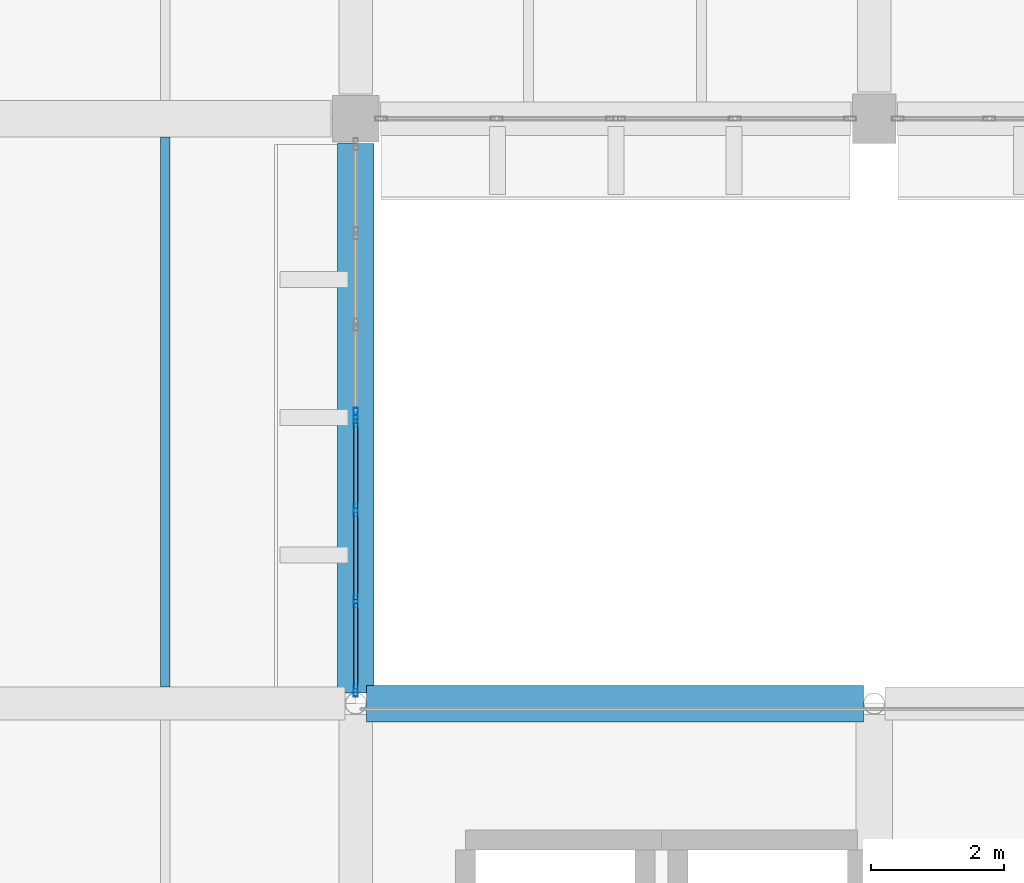
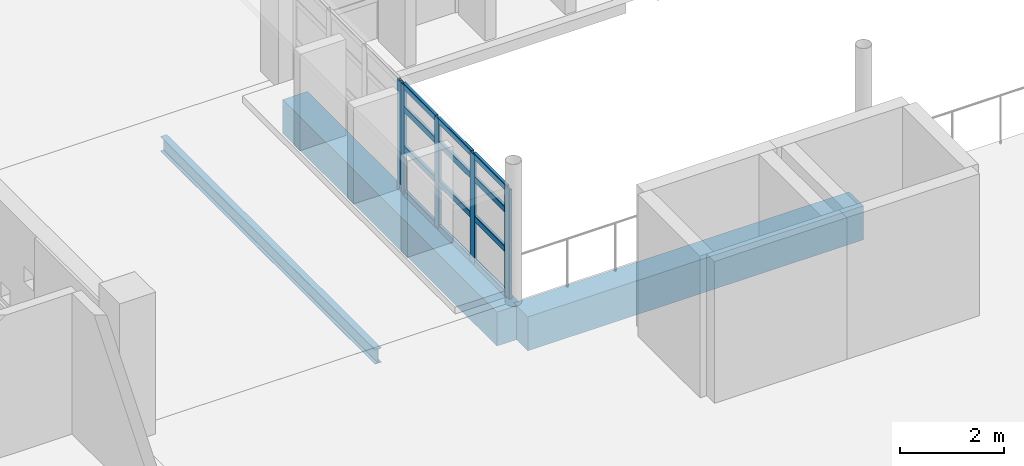
# One storey, part 9 of 75: 17 members, 3 beams, 2 elements without a shape of their own.
"""IFC4 building model written with IfcOpenShell, lengths in metres."""

from ifc_helpers import new_model, si_unit, direction, frame, origin, origin_2d, place, context, subcontext, project, spatial, rectangle, hollow_rectangle, i_section, extrude, material, material_profile, profile_set, type_object, element, aggregate, save


model = new_model("IFC4")

# Units and contexts
model_context = context("Model", 3, precision=1e-05, world=origin(), true_north=direction((0.0, 1.0)))
body_context = subcontext(model_context, "Body", "Model", "MODEL_VIEW")
ifc_project = project(units=[si_unit("LENGTHUNIT", "METRE"), si_unit("AREAUNIT", "SQUARE_METRE"), si_unit("VOLUMEUNIT", "CUBIC_METRE"), si_unit("PLANEANGLEUNIT", "RADIAN"), si_unit("MASSUNIT", "GRAM", prefix="KILO")], contexts=[model_context])

# Site, building, storey
site_placement = place(None, origin())
site = spatial("IfcSite", under=ifc_project, at=site_placement, CompositionType="ELEMENT")
building_placement = place(site_placement, origin())
building = spatial("IfcBuilding", under=site, at=building_placement, Name="Varnakota Cinema and Media Centre", CompositionType="ELEMENT")
storey_placement = place(building_placement, frame((0.0, 0.0, 8.39990234375)))
storey = spatial("IfcBuildingStorey", under=building, at=storey_placement, Name="L02", CompositionType="ELEMENT", Elevation=8.39990234375)

# Beams
ifc_material_1 = material(Name="Concrete M35", Category="concrete")
ifc_material_profile_1 = material_profile(ifc_material_1, rectangle(XDim=0.550048828125, YDim=0.800048828125, at=origin_2d()), Name="RCB 550x800")
ifc_profile_set_1 = profile_set([ifc_material_profile_1], Name="Concrete M35")
beam_type_1 = type_object("IfcBeamType", Name="BM-RC-550x800", PredefinedType="BEAM", material=ifc_profile_set_1)
beam_1_placement = place(storey_placement, frame((51.761962890625, 26.39990234375, -0.64990234375), z_axis=(1.0, 0.0, 0.0), x_axis=(0.0, 1.0, 0.0)))
element("IfcBeam", 1, at=beam_1_placement, inside=storey, type_object=beam_type_1, Name="L02 girder G-H/4", PredefinedType="BEAM", context=body_context, shape_type="SweptSolid", body=[
    extrude(rectangle(XDim=0.550048828125, YDim=0.800048828125, at=origin_2d()), origin(), (0.0, 0.0, 1.0), 7.47607421875),
])
beam_2_placement = place(storey_placement, frame((51.60009765625, 26.56201171875, -0.64990234375), z_axis=(0.0, 1.0, 0.0), x_axis=(-1.0, 0.0, 0.0)))
element("IfcBeam", 2, at=beam_2_placement, inside=storey, type_object=beam_type_1, Name="L02 girder G/4-5", PredefinedType="BEAM", context=body_context, shape_type="SweptSolid", body=[
    extrude(rectangle(XDim=0.550048828125, YDim=0.800048828125, at=origin_2d()), origin(), (0.0, 0.0, 1.0), 8.262939453125),
])
ifc_material_2 = material(Name="Structural steel Grade 350 (E350)", Category="steel")
ifc_material_profile_2 = material_profile(ifc_material_2, i_section(OverallWidth=0.139892578125, OverallDepth=0.35009765625, WebThickness=0.008056640625, FlangeThickness=0.01416015625, FilletRadius=0.013916015625, at=origin_2d()), Name="ISMB 350")
ifc_profile_set_2 = profile_set([ifc_material_profile_2], Name="Structural steel Grade 350 (E350)")
beam_type_2 = type_object("IfcBeamType", Name="BM-ST-ISMB350", PredefinedType="JOIST", material=ifc_profile_set_2)
beam_3_placement = place(storey_placement, frame((48.7333984375, 26.64990234375, -0.4248046875), z_axis=(0.0, 1.0, 0.0), x_axis=(-1.0, 0.0, 0.0)))
element("IfcBeam", 3, at=beam_3_placement, inside=storey, type_object=beam_type_2, Name="L02 steel joist F-G/4-5 #2", PredefinedType="JOIST", context=body_context, shape_type="SweptSolid", body=[
    extrude(i_section(OverallWidth=0.139892578125, OverallDepth=0.35009765625, WebThickness=0.008056640625, FlangeThickness=0.01416015625, FilletRadius=0.013916015625, at=origin_2d()), origin(), (0.0, 0.0, 1.0), 8.275146484375),
])

# Curtain wall, members
ifc_material_3 = material(Name="Thermally broken anodised aluminium AW-6063", Category="aluminium")
curtain_wall_type = type_object("IfcCurtainWallType", Name="CW-STD-412x258", PredefinedType="USERDEFINED", material=ifc_material_3)
curtain_wall_1_placement = place(storey_placement, origin())
curtain_wall_1 = element("IfcCurtainWall", 4, at=curtain_wall_1_placement, inside=storey, type_object=curtain_wall_type, Name="L02 curtain wall CW-L02-WLINK-E-01-1", ObjectType="UNITISED CURTAIN WALL", PredefinedType="USERDEFINED")
ifc_material_4 = material(Name="Thermally broken anodised aluminium AW-6063", Category="aluminium")
ifc_material_profile_3 = material_profile(ifc_material_4, hollow_rectangle(XDim=0.06494140625, YDim=0.179931640625, WallThickness=0.00390625, InnerFilletRadius=0.00390625, OuterFilletRadius=0.008056640625, at=origin_2d()), Name="AL-MULLION 180x65x4")
ifc_profile_set_3 = profile_set([ifc_material_profile_3], Name="Thermally broken anodised aluminium AW-6063")
member_type_1 = type_object("IfcMemberType", Name="CWM-AL-180", PredefinedType="MULLION", material=ifc_profile_set_3)
member_1_placement = place(storey_placement, frame((51.60009765625, 26.594482421875, 0.0), z_axis=(0.0, 0.0, 1.0), x_axis=(-1.0, 0.0, 0.0)))
member_1 = element("IfcMember", 5, at=member_1_placement, type_object=member_type_1, Name="CW35 mullion 1", PredefinedType="MULLION", context=body_context, shape_type="SweptSolid", body=[
    extrude(hollow_rectangle(XDim=0.06494140625, YDim=0.179931640625, WallThickness=0.00390625, InnerFilletRadius=0.00390625, OuterFilletRadius=0.008056640625, at=origin_2d()), origin(), (0.0, 0.0, 1.0), 2.5751953125),
])
member_2_placement = place(storey_placement, frame((51.60009765625, 27.936767578125, 0.0), z_axis=(0.0, 0.0, 1.0), x_axis=(-1.0, 0.0, 0.0)))
member_2 = element("IfcMember", 6, at=member_2_placement, type_object=member_type_1, Name="CW35 mullion 2", PredefinedType="MULLION", context=body_context, shape_type="SweptSolid", body=[
    extrude(hollow_rectangle(XDim=0.06494140625, YDim=0.179931640625, WallThickness=0.00390625, InnerFilletRadius=0.00390625, OuterFilletRadius=0.008056640625, at=origin_2d()), origin(), (0.0, 0.0, 1.0), 2.5751953125),
])
member_3_placement = place(storey_placement, frame((51.60009765625, 29.311279296875, 0.0), z_axis=(0.0, 0.0, 1.0), x_axis=(-1.0, 0.0, 0.0)))
member_3 = element("IfcMember", 7, at=member_3_placement, type_object=member_type_1, Name="CW35 mullion 3", PredefinedType="MULLION", context=body_context, shape_type="SweptSolid", body=[
    extrude(hollow_rectangle(XDim=0.06494140625, YDim=0.179931640625, WallThickness=0.00390625, InnerFilletRadius=0.00390625, OuterFilletRadius=0.008056640625, at=origin_2d()), origin(), (0.0, 0.0, 1.0), 2.5751953125),
])
member_4_placement = place(storey_placement, frame((51.60009765625, 30.653564453125, 0.0), z_axis=(0.0, 0.0, 1.0), x_axis=(-1.0, 0.0, 0.0)))
member_4 = element("IfcMember", 8, at=member_4_placement, type_object=member_type_1, Name="CW35 mullion 4", PredefinedType="MULLION", context=body_context, shape_type="SweptSolid", body=[
    extrude(hollow_rectangle(XDim=0.06494140625, YDim=0.179931640625, WallThickness=0.00390625, InnerFilletRadius=0.00390625, OuterFilletRadius=0.008056640625, at=origin_2d()), origin(), (0.0, 0.0, 1.0), 2.5751953125),
])

# Curtain wall, member
curtain_wall_2_placement = place(storey_placement, origin())
curtain_wall_2 = element("IfcCurtainWall", 9, at=curtain_wall_2_placement, inside=storey, type_object=curtain_wall_type, Name="L02 curtain wall CW-L02-WLINK-E-01-2", ObjectType="UNITISED CURTAIN WALL", PredefinedType="USERDEFINED")
member_5_placement = place(storey_placement, frame((51.60009765625, 30.758544921875, 0.0), z_axis=(0.0, 0.0, 1.0), x_axis=(-1.0, 0.0, 0.0)))
member_5 = element("IfcMember", 10, at=member_5_placement, type_object=member_type_1, Name="CW35 mullion 1", PredefinedType="MULLION", context=body_context, shape_type="SweptSolid", body=[
    extrude(hollow_rectangle(XDim=0.06494140625, YDim=0.179931640625, WallThickness=0.00390625, InnerFilletRadius=0.00390625, OuterFilletRadius=0.008056640625, at=origin_2d()), origin(), (0.0, 0.0, 1.0), 2.5751953125),
])
aggregate(curtain_wall_2, [member_5])

# Member
ifc_material_5 = material(Name="Thermally broken anodised aluminium AW-6063", Category="aluminium")
ifc_material_profile_4 = material_profile(ifc_material_5, hollow_rectangle(XDim=0.06494140625, YDim=0.139892578125, WallThickness=0.00390625, InnerFilletRadius=0.00390625, OuterFilletRadius=0.008056640625, at=origin_2d()), Name="AL-TRANSOM 140x65x4")
ifc_profile_set_4 = profile_set([ifc_material_profile_4], Name="Thermally broken anodised aluminium AW-6063")
member_type_2 = type_object("IfcMemberType", Name="CWT-AL-140", PredefinedType="USERDEFINED", material=ifc_profile_set_4)
member_6_placement = place(storey_placement, frame((51.60009765625, 26.626953125, 0.03271484375), z_axis=(0.0, 1.0, 0.0), x_axis=(-1.0, 0.0, 0.0)))
member_6 = element("IfcMember", 11, at=member_6_placement, type_object=member_type_2, Name="CW35 transom 1.1", ObjectType="TRANSOM", PredefinedType="USERDEFINED", context=body_context, shape_type="SweptSolid", body=[
    extrude(hollow_rectangle(XDim=0.06494140625, YDim=0.139892578125, WallThickness=0.00390625, InnerFilletRadius=0.00390625, OuterFilletRadius=0.008056640625, at=origin_2d()), origin(), (0.0, 0.0, 1.0), 1.277099609375),
])

member_7_placement = place(storey_placement, frame((51.60009765625, 26.626953125, 1.08154296875), z_axis=(0.0, 1.0, 0.0), x_axis=(-1.0, 0.0, 0.0)))
member_7 = element("IfcMember", 12, at=member_7_placement, type_object=member_type_2, Name="CW35 transom 1.2", ObjectType="TRANSOM", PredefinedType="USERDEFINED", context=body_context, shape_type="SweptSolid", body=[
    extrude(hollow_rectangle(XDim=0.06494140625, YDim=0.139892578125, WallThickness=0.00390625, InnerFilletRadius=0.00390625, OuterFilletRadius=0.008056640625, at=origin_2d()), origin(), (0.0, 0.0, 1.0), 1.277099609375),
])

member_8_placement = place(storey_placement, frame((51.60009765625, 26.626953125, 2.008544921875), z_axis=(0.0, 1.0, 0.0), x_axis=(-1.0, 0.0, 0.0)))
member_8 = element("IfcMember", 13, at=member_8_placement, type_object=member_type_2, Name="CW35 transom 1.3", ObjectType="TRANSOM", PredefinedType="USERDEFINED", context=body_context, shape_type="SweptSolid", body=[
    extrude(hollow_rectangle(XDim=0.06494140625, YDim=0.139892578125, WallThickness=0.00390625, InnerFilletRadius=0.00390625, OuterFilletRadius=0.008056640625, at=origin_2d()), origin(), (0.0, 0.0, 1.0), 1.277099609375),
])

member_9_placement = place(storey_placement, frame((51.60009765625, 26.626953125, 2.54248046875), z_axis=(0.0, 1.0, 0.0), x_axis=(-1.0, 0.0, 0.0)))
member_9 = element("IfcMember", 14, at=member_9_placement, type_object=member_type_2, Name="CW35 transom 1.4", ObjectType="TRANSOM", PredefinedType="USERDEFINED", context=body_context, shape_type="SweptSolid", body=[
    extrude(hollow_rectangle(XDim=0.06494140625, YDim=0.139892578125, WallThickness=0.00390625, InnerFilletRadius=0.00390625, OuterFilletRadius=0.008056640625, at=origin_2d()), origin(), (0.0, 0.0, 1.0), 1.277099609375),
])

member_10_placement = place(storey_placement, frame((51.60009765625, 27.96923828125, 0.03271484375), z_axis=(0.0, 1.0, 0.0), x_axis=(-1.0, 0.0, 0.0)))
member_10 = element("IfcMember", 15, at=member_10_placement, type_object=member_type_2, Name="CW35 transom 2.1", ObjectType="TRANSOM", PredefinedType="USERDEFINED", context=body_context, shape_type="SweptSolid", body=[
    extrude(hollow_rectangle(XDim=0.06494140625, YDim=0.139892578125, WallThickness=0.00390625, InnerFilletRadius=0.00390625, OuterFilletRadius=0.008056640625, at=origin_2d()), origin(), (0.0, 0.0, 1.0), 1.3095703125),
])

member_11_placement = place(storey_placement, frame((51.60009765625, 27.96923828125, 1.08154296875), z_axis=(0.0, 1.0, 0.0), x_axis=(-1.0, 0.0, 0.0)))
member_11 = element("IfcMember", 16, at=member_11_placement, type_object=member_type_2, Name="CW35 transom 2.2", ObjectType="TRANSOM", PredefinedType="USERDEFINED", context=body_context, shape_type="SweptSolid", body=[
    extrude(hollow_rectangle(XDim=0.06494140625, YDim=0.139892578125, WallThickness=0.00390625, InnerFilletRadius=0.00390625, OuterFilletRadius=0.008056640625, at=origin_2d()), origin(), (0.0, 0.0, 1.0), 1.3095703125),
])

member_12_placement = place(storey_placement, frame((51.60009765625, 27.96923828125, 2.008544921875), z_axis=(0.0, 1.0, 0.0), x_axis=(-1.0, 0.0, 0.0)))
member_12 = element("IfcMember", 17, at=member_12_placement, type_object=member_type_2, Name="CW35 transom 2.3", ObjectType="TRANSOM", PredefinedType="USERDEFINED", context=body_context, shape_type="SweptSolid", body=[
    extrude(hollow_rectangle(XDim=0.06494140625, YDim=0.139892578125, WallThickness=0.00390625, InnerFilletRadius=0.00390625, OuterFilletRadius=0.008056640625, at=origin_2d()), origin(), (0.0, 0.0, 1.0), 1.3095703125),
])

member_13_placement = place(storey_placement, frame((51.60009765625, 27.96923828125, 2.54248046875), z_axis=(0.0, 1.0, 0.0), x_axis=(-1.0, 0.0, 0.0)))
member_13 = element("IfcMember", 18, at=member_13_placement, type_object=member_type_2, Name="CW35 transom 2.4", ObjectType="TRANSOM", PredefinedType="USERDEFINED", context=body_context, shape_type="SweptSolid", body=[
    extrude(hollow_rectangle(XDim=0.06494140625, YDim=0.139892578125, WallThickness=0.00390625, InnerFilletRadius=0.00390625, OuterFilletRadius=0.008056640625, at=origin_2d()), origin(), (0.0, 0.0, 1.0), 1.3095703125),
])

member_14_placement = place(storey_placement, frame((51.60009765625, 29.34375, 0.03271484375), z_axis=(0.0, 1.0, 0.0), x_axis=(-1.0, 0.0, 0.0)))
member_14 = element("IfcMember", 19, at=member_14_placement, type_object=member_type_2, Name="CW35 transom 3.1", ObjectType="TRANSOM", PredefinedType="USERDEFINED", context=body_context, shape_type="SweptSolid", body=[
    extrude(hollow_rectangle(XDim=0.06494140625, YDim=0.139892578125, WallThickness=0.00390625, InnerFilletRadius=0.00390625, OuterFilletRadius=0.008056640625, at=origin_2d()), origin(), (0.0, 0.0, 1.0), 1.27734375),
])

member_15_placement = place(storey_placement, frame((51.60009765625, 29.34375, 1.08154296875), z_axis=(0.0, 1.0, 0.0), x_axis=(-1.0, 0.0, 0.0)))
member_15 = element("IfcMember", 20, at=member_15_placement, type_object=member_type_2, Name="CW35 transom 3.2", ObjectType="TRANSOM", PredefinedType="USERDEFINED", context=body_context, shape_type="SweptSolid", body=[
    extrude(hollow_rectangle(XDim=0.06494140625, YDim=0.139892578125, WallThickness=0.00390625, InnerFilletRadius=0.00390625, OuterFilletRadius=0.008056640625, at=origin_2d()), origin(), (0.0, 0.0, 1.0), 1.27734375),
])

member_16_placement = place(storey_placement, frame((51.60009765625, 29.34375, 2.008544921875), z_axis=(0.0, 1.0, 0.0), x_axis=(-1.0, 0.0, 0.0)))
member_16 = element("IfcMember", 21, at=member_16_placement, type_object=member_type_2, Name="CW35 transom 3.3", ObjectType="TRANSOM", PredefinedType="USERDEFINED", context=body_context, shape_type="SweptSolid", body=[
    extrude(hollow_rectangle(XDim=0.06494140625, YDim=0.139892578125, WallThickness=0.00390625, InnerFilletRadius=0.00390625, OuterFilletRadius=0.008056640625, at=origin_2d()), origin(), (0.0, 0.0, 1.0), 1.27734375),
])

member_17_placement = place(storey_placement, frame((51.60009765625, 29.34375, 2.54248046875), z_axis=(0.0, 1.0, 0.0), x_axis=(-1.0, 0.0, 0.0)))
member_17 = element("IfcMember", 22, at=member_17_placement, type_object=member_type_2, Name="CW35 transom 3.4", ObjectType="TRANSOM", PredefinedType="USERDEFINED", context=body_context, shape_type="SweptSolid", body=[
    extrude(hollow_rectangle(XDim=0.06494140625, YDim=0.139892578125, WallThickness=0.00390625, InnerFilletRadius=0.00390625, OuterFilletRadius=0.008056640625, at=origin_2d()), origin(), (0.0, 0.0, 1.0), 1.27734375),
])

aggregate(curtain_wall_1, [member_1, member_2, member_3, member_4, member_6, member_7, member_8, member_9, member_10, member_11, member_12, member_13, member_14, member_15, member_16, member_17])

save(model, "model.ifc")
